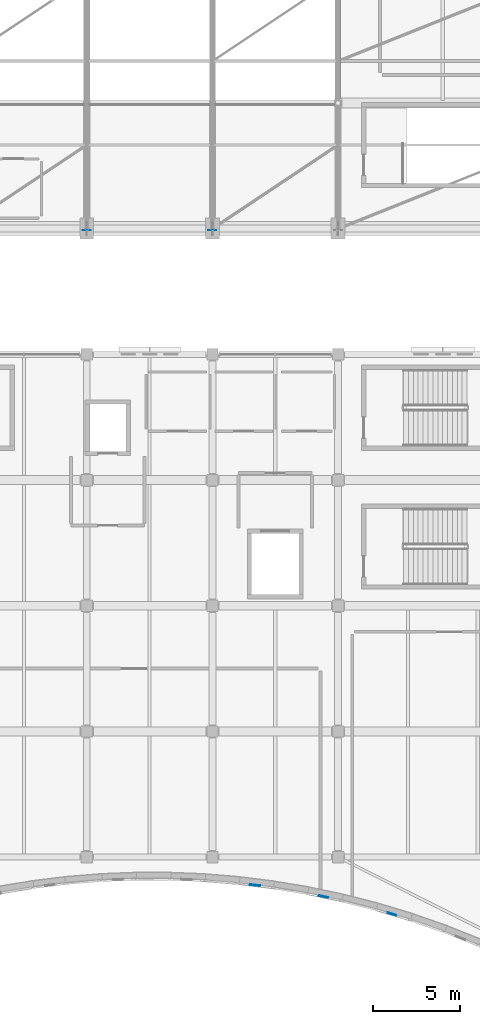
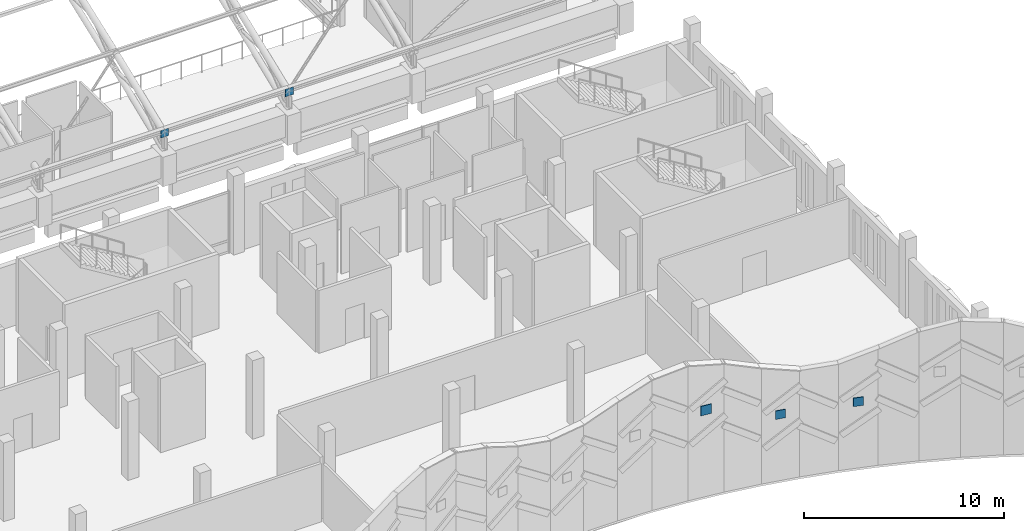
# One storey, part 76 of 116: 5 plates.
"""IFC4 building model written with IfcOpenShell, lengths in metres."""

from ifc_helpers import new_model, si_unit, direction, frame, origin, origin_2d, place, context, subcontext, project, spatial, rectangle, extrude, material, layer, layer_set, type_object, element, save


model = new_model("IFC4")

# Units and contexts
model_context = context("Model", 3, precision=1e-05, world=origin(), true_north=direction((0.0, 1.0)))
body_context = subcontext(model_context, "Body", "Model", "MODEL_VIEW")
ifc_project = project(units=[si_unit("LENGTHUNIT", "METRE"), si_unit("AREAUNIT", "SQUARE_METRE"), si_unit("VOLUMEUNIT", "CUBIC_METRE"), si_unit("PLANEANGLEUNIT", "RADIAN"), si_unit("MASSUNIT", "GRAM", prefix="KILO")], contexts=[model_context])

# Site, building, storey
site_placement = place(None, origin())
site = spatial("IfcSite", under=ifc_project, at=site_placement, CompositionType="ELEMENT")
building_placement = place(site_placement, origin())
building = spatial("IfcBuilding", under=site, at=building_placement, Name="Cendralis Lancet Convention Centre", CompositionType="ELEMENT")
storey_placement = place(building_placement, frame((0.0, 0.0, 15.0)))
storey = spatial("IfcBuildingStorey", under=building, at=storey_placement, Name="L03", CompositionType="ELEMENT", Elevation=15.0)

# Plates
ifc_material_1 = material(Name="Dark Andean slate chevron cassette", Category="masonry")
ifc_layer_1 = layer(ifc_material_1, 0.048095703125, Name="Dark Andean slate chevron cassette")
ifc_layer_set_1 = layer_set([ifc_layer_1], Name="Dark Andean slate chevron cassette")
plate_type_1 = type_object("IfcPlateType", Name="ARC-PL-CHV2", PredefinedType="SHEET", material=ifc_layer_set_1)
plate_1_placement = place(storey_placement, frame((192.038818359375, 5.5888671875, 5.02490234375), z_axis=(0.0, 0.0, 1.0), x_axis=(0.992347031249, -0.123480239601, 0.0)))
element("IfcPlate", 1, at=plate_1_placement, inside=storey, type_object=plate_type_1, Name="Chevron Keystone Cassette CHV-D1 #0147", PredefinedType="SHEET", context=body_context, shape_type="SweptSolid", body=[
    extrude(rectangle(XDim=0.580078125, YDim=0.048095703125, at=origin_2d()), origin(), (0.0, 0.0, 1.0), 0.580078125),
])
ifc_material_2 = material(Name="Warm buff sandstone chevron cassette", Category="masonry")
ifc_layer_2 = layer(ifc_material_2, 0.044921875, Name="Warm buff sandstone chevron cassette")
ifc_layer_set_2 = layer_set([ifc_layer_2], Name="Warm buff sandstone chevron cassette")
plate_type_2 = type_object("IfcPlateType", Name="ARC-PL-CHV3", PredefinedType="SHEET", material=ifc_layer_set_2)
plate_2_placement = place(storey_placement, frame((195.9619140625, 4.93408203125, 3.806884765625), z_axis=(0.0, 0.0, 1.0), x_axis=(0.978623998626, -0.205657650751, 0.0)))
element("IfcPlate", 2, at=plate_2_placement, inside=storey, type_object=plate_type_2, Name="Chevron Keystone Cassette CHV-S2 #0150", PredefinedType="SHEET", context=body_context, shape_type="SweptSolid", body=[
    extrude(rectangle(XDim=0.52001953125, YDim=0.044921875, at=origin_2d()), origin(), (0.0, 0.0, 1.0), 0.52001953125),
])
ifc_layer_3 = layer(ifc_material_1, 0.048095703125, Name="Dark Andean slate chevron cassette")
ifc_layer_set_3 = layer_set([ifc_layer_3], Name="Dark Andean slate chevron cassette")
plate_type_3 = type_object("IfcPlateType", Name="ARC-PL-CHV4", PredefinedType="SHEET", material=ifc_layer_set_3)
plate_3_placement = place(storey_placement, frame((199.88525390625, 3.934814453125, 3.81005859375), z_axis=(0.0, 0.0, 1.0), x_axis=(0.957651803047, -0.287928852531, 0.0)))
element("IfcPlate", 3, at=plate_3_placement, inside=storey, type_object=plate_type_3, Name="Chevron Keystone Cassette CHV-D2 #0153", PredefinedType="SHEET", context=body_context, shape_type="SweptSolid", body=[
    extrude(rectangle(XDim=0.52001953125, YDim=0.048095703125, at=origin_2d()), origin(), (0.0, 0.0, 1.0), 0.52001953125),
])
ifc_material_3 = material(Name="Steel S355", Category="steel")
ifc_layer_4 = layer(ifc_material_3, 0.02001953125, Name="Steel S355")
ifc_layer_set_4 = layer_set([ifc_layer_4], Name="Steel S355")
plate_type_4 = type_object("IfcPlateType", Name="STR-PL-EC20", PredefinedType="USERDEFINED", material=ifc_layer_set_4)
for number, where, z_axis, x_axis, name in (
    (4, (182.39990234375, 43.110107421875, 2.6201171875), (0.0, 0.0, 1.0), (1.0, 0.0, 0.0), "Truss End Cap Plate EC-20 AT-V2-07-CAPS"),
    (5, (189.60009765625, 43.110107421875, 2.6201171875), (0.0, 0.0, 1.0), (1.0, 0.0, 0.0), "Truss End Cap Plate EC-20 AT-V2-08-CAPS"),
):
    element("IfcPlate", number, at=place(storey_placement, frame(where, z_axis=z_axis, x_axis=x_axis)), inside=storey, type_object=plate_type_4, Name=name, ObjectType="GUSSET PLATE", PredefinedType="USERDEFINED", context=body_context, shape_type="SweptSolid", body=[
        extrude(rectangle(XDim=0.4599609375, YDim=0.02001953125, at=origin_2d()), origin(), (0.0, 0.0, 1.0), 0.4599609375),
    ])

save(model, "model.ifc")
